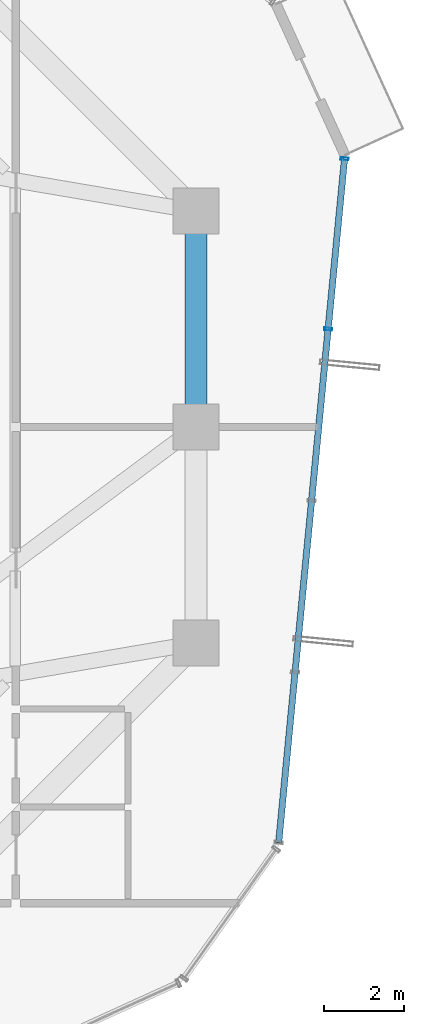
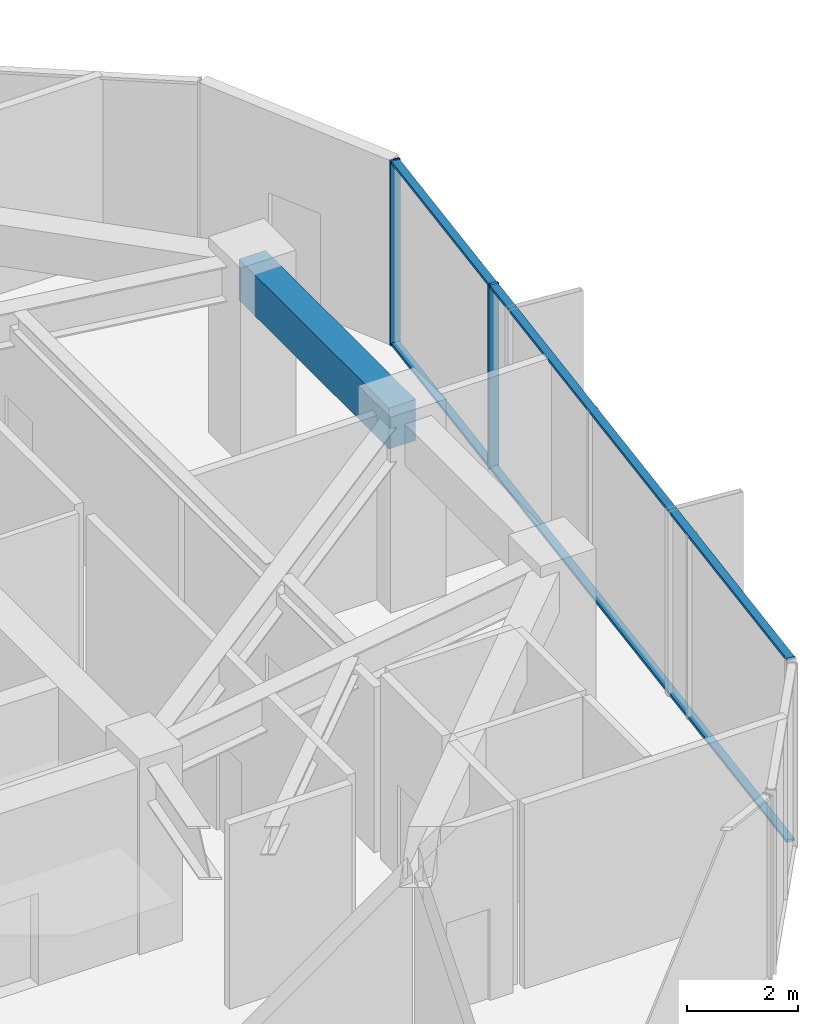
# One storey, part 13 of 25: 4 members, 1 beam, 1 element without a shape of its own.
"""IFC4 building model written with IfcOpenShell, lengths in metres."""

from ifc_helpers import new_model, si_unit, direction, frame, origin, origin_2d, place, context, subcontext, project, spatial, rectangle, hollow_rectangle, extrude, source, transform, mapped, material, layer, layer_set, material_profile, profile_set, type_object, element, aggregate, save


model = new_model("IFC4")

# Units and contexts
model_context = context("Model", 3, precision=1e-05, world=origin(), true_north=direction((0.0, 1.0)))
body_context = subcontext(model_context, "Body", "Model", "MODEL_VIEW")
ifc_project = project(units=[si_unit("LENGTHUNIT", "METRE"), si_unit("AREAUNIT", "SQUARE_METRE"), si_unit("VOLUMEUNIT", "CUBIC_METRE"), si_unit("PLANEANGLEUNIT", "RADIAN"), si_unit("MASSUNIT", "GRAM", prefix="KILO")], contexts=[model_context])

# Site, building, storey
site_placement = place(None, origin())
site = spatial("IfcSite", under=ifc_project, at=site_placement, CompositionType="ELEMENT")
building_placement = place(site_placement, origin())
building = spatial("IfcBuilding", under=site, at=building_placement, Name="Veraguas Prism Commons", CompositionType="ELEMENT")
storey_placement = place(building_placement, frame((0.0, 0.0, 108.949951171875)))
storey = spatial("IfcBuildingStorey", under=building, at=storey_placement, Name="L30", CompositionType="ELEMENT", Elevation=108.949951171875)

# Beam
ifc_material_1 = material(Name="Concrete C50/60", Category="concrete")
ifc_material_profile_1 = material_profile(ifc_material_1, rectangle(XDim=0.550048828125, YDim=0.89990234375, at=origin_2d()), Name="RC550X900")
ifc_profile_set_1 = profile_set([ifc_material_profile_1], Name="Concrete C50/60")
beam_type = type_object("IfcBeamType", Name="Perimeter Spandrel Lower RC 550x900", PredefinedType="SPANDREL", material=ifc_profile_set_1)
beam_placement = place(storey_placement, frame((40.199951171875, 24.0, 3.60009765625), z_axis=(0.0, 1.0, 0.0), x_axis=(-1.0, 0.0, 0.0)))
element("IfcBeam", 1, at=beam_placement, inside=storey, type_object=beam_type, Name="Perimeter Spandrel Beam L30-SP02", PredefinedType="SPANDREL", context=body_context, shape_type="SweptSolid", body=[
    extrude(rectangle(XDim=0.550048828125, YDim=0.89990234375, at=origin_2d()), origin(), (0.0, 0.0, 1.0), 5.39990234375),
])

# Curtain wall, members
ifc_material_2 = material(Name="Anodised aluminium EN AW-6063 T6", Category="aluminium")
ifc_layer = layer(ifc_material_2, 0.199951171875, Name="Sky Lobby and Pool Acoustic Curtain Wall", Category="aluminium")
ifc_layer_set = layer_set([ifc_layer], Name="Anodised aluminium EN AW-6063 T6")
curtain_wall_type = type_object("IfcCurtainWallType", Name="Sky Lobby and Pool Acoustic Curtain Wall", PredefinedType="NOTDEFINED", material=ifc_layer_set)
curtain_wall_placement = place(storey_placement, origin())
curtain_wall = element("IfcCurtainWall", 2, at=curtain_wall_placement, inside=storey, type_object=curtain_wall_type, Name="Tower Facade Curtain Wall L30-F6", PredefinedType="NOTDEFINED")
ifc_material_profile_2 = material_profile(ifc_material_2, hollow_rectangle(XDim=0.06494140625, YDim=0.199951171875, WallThickness=0.00390625, at=origin_2d()), Name="AL65X200X4")
ifc_profile_set_2 = profile_set([ifc_material_profile_2], Name="Anodised aluminium EN AW-6063 T6")
member_type_1 = type_object("IfcMemberType", Name="Curtain Wall Mullion Heavy AL 65x200x4", PredefinedType="MULLION", material=ifc_profile_set_2)
shared_shape_1 = source(origin(), body_context, "Body", "SweptSolid", [
    extrude(hollow_rectangle(XDim=0.06494140625, YDim=0.199951171875, WallThickness=0.00390625, at=origin_2d()), origin(), (0.0, 0.0, 1.0), 4.050048828125),
])
member_1_placement = place(storey_placement, frame((43.507080078125, 26.4501953125, 0.0), z_axis=(0.0, 0.0, 1.0), x_axis=(0.095837066046, 0.995397034741, 0.0)))
member_1 = element("IfcMember", 3, at=member_1_placement, type_object=member_type_1, Name="CW-SKY Mullion 4", PredefinedType="MULLION", context=body_context, shape_type="MappedRepresentation", body=[
    mapped(shared_shape_1, transform((0.0, 0.0, 0.0), scale=1.0)),
])
member_2_placement = place(storey_placement, frame((43.9169921875, 30.70654296875, 0.0), z_axis=(0.0, 0.0, 1.0), x_axis=(0.095837066046, 0.995397034741, 0.0)))
member_2 = element("IfcMember", 4, at=member_2_placement, type_object=member_type_1, Name="CW-SKY Mullion 5", PredefinedType="MULLION", context=body_context, shape_type="MappedRepresentation", body=[
    mapped(shared_shape_1, transform((0.0, 0.0, 0.0), scale=1.0)),
])
ifc_material_profile_3 = material_profile(ifc_material_2, hollow_rectangle(XDim=0.06005859375, YDim=0.159912109375, WallThickness=0.0029296875, at=origin_2d()), Name="AL60X160X3")
ifc_profile_set_3 = profile_set([ifc_material_profile_3], Name="Anodised aluminium EN AW-6063 T6")
member_type_2 = type_object("IfcMemberType", Name="Curtain Wall Transom Heavy AL 60x160x3", PredefinedType="USERDEFINED", material=ifc_profile_set_3)
shared_shape_2 = source(origin(), body_context, "Body", "SweptSolid", [
    extrude(hollow_rectangle(XDim=0.06005859375, YDim=0.159912109375, WallThickness=0.0029296875, at=origin_2d()), origin(), (0.0, 0.0, 1.0), 17.16943359375),
])
member_3_placement = place(storey_placement, frame((42.271484375, 13.6162109375, 0.030029296875), z_axis=(0.095839751315, 0.995396776199, 0.0), x_axis=(0.0, 0.0, 1.0)))
member_3 = element("IfcMember", 5, at=member_3_placement, type_object=member_type_2, Name="CW-SKY Transom 1", ObjectType="TRANSOM", PredefinedType="USERDEFINED", context=body_context, shape_type="MappedRepresentation", body=[
    mapped(shared_shape_2, transform((0.0, 0.0, 0.0), scale=1.0)),
])
member_4_placement = place(storey_placement, frame((42.271484375, 13.6162109375, 4.02001953125), z_axis=(0.095839751315, 0.995396776199, 0.0), x_axis=(0.0, 0.0, 1.0)))
member_4 = element("IfcMember", 6, at=member_4_placement, type_object=member_type_2, Name="CW-SKY Transom 2", ObjectType="TRANSOM", PredefinedType="USERDEFINED", context=body_context, shape_type="MappedRepresentation", body=[
    mapped(shared_shape_2, transform((0.0, 0.0, 0.0), scale=1.0)),
])
aggregate(curtain_wall, [member_1, member_2, member_3, member_4])

save(model, "model.ifc")
